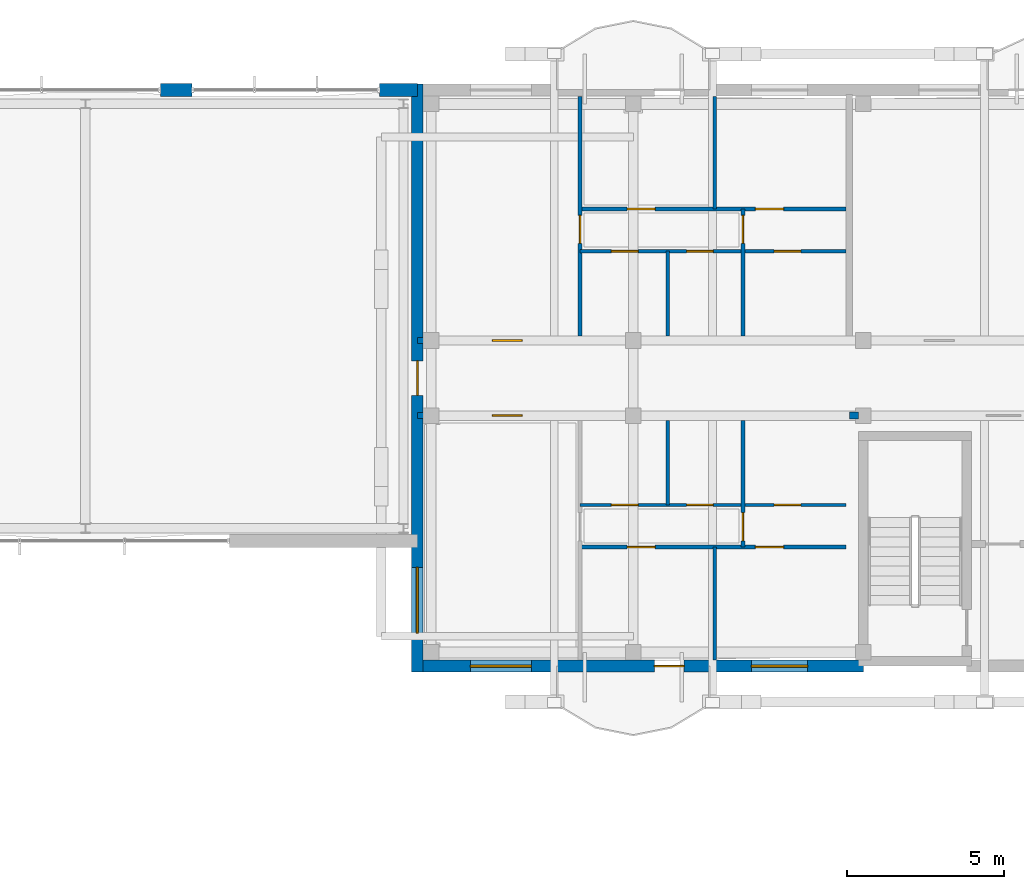
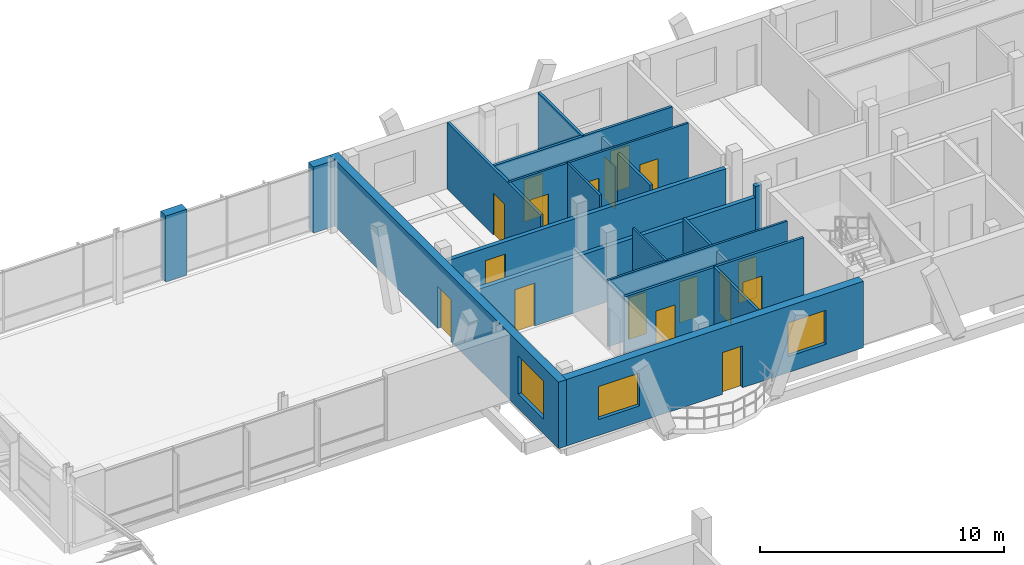
# One storey, part 157 of 189: 18 walls, 17 doors, 3 windows, 20 openings.
"""IFC4 building model written with IfcOpenShell, lengths in metres."""

from ifc_helpers import new_model, si_unit, direction, frame, frame_2d, origin, origin_with_axes, place, context, subcontext, project, spatial, rectangle, extrude, material, layer, layer_set, type_object, element, fill, save


model = new_model("IFC4")

# Units and contexts
model_context = context("Model", 3, precision=1e-05, world=origin(), true_north=direction((0.0, 1.0)))
body_context = subcontext(model_context, "Body", "Model", "MODEL_VIEW")
ifc_project = project(units=[si_unit("LENGTHUNIT", "METRE"), si_unit("AREAUNIT", "SQUARE_METRE"), si_unit("VOLUMEUNIT", "CUBIC_METRE"), si_unit("PLANEANGLEUNIT", "RADIAN"), si_unit("MASSUNIT", "GRAM", prefix="KILO")], contexts=[model_context])

# Site, building, storey
site_placement = place(None, origin())
site = spatial("IfcSite", under=ifc_project, at=site_placement, CompositionType="ELEMENT")
building_placement = place(site_placement, origin())
building = spatial("IfcBuilding", under=site, at=building_placement, Name="Zavelmont Quarter", CompositionType="ELEMENT")
storey_placement = place(building_placement, frame((0.0, 0.0, 4.39990234375)))
storey = spatial("IfcBuildingStorey", under=building, at=storey_placement, Name="L01", CompositionType="ELEMENT", Elevation=4.39990234375)

# Wall, openings, door, windows
ifc_material_1 = material(Name="Natural Belgian limestone", Category="masonry")
ifc_layer_1 = layer(ifc_material_1, 0.3798828125)
ifc_layer_set_1 = layer_set([ifc_layer_1], Name="Natural Belgian limestone")
wall_type_1 = type_object("IfcWallType", Name="EW01", PredefinedType="STANDARD", material=ifc_layer_set_1)
wall_1_placement = place(storey_placement, frame((112.97998046875, 97.60009765625, 0.0), z_axis=(0.0, 0.0, 1.0), x_axis=(1.0, 0.0, 0.0)))
wall_1 = element("IfcWall", 1, at=wall_1_placement, inside=storey, type_object=wall_type_1, Name="L01 exterior limestone wall EW01", PredefinedType="STANDARD", context=body_context, shape_type="SweptSolid", body=[
    extrude(rectangle(XDim=14.070068359375, YDim=0.3798828125, at=frame_2d((7.03515625, 0.0))), origin(), (0.0, 0.0, 1.0), 3.330078125),
])
opening_1_placement = place(wall_1_placement, frame((7.389892578125, 0.0, 0.0)))
opening_1 = element("IfcOpeningElement", 2, at=opening_1_placement, cuts=wall_1, Name="Opening DR04", PredefinedType="OPENING", context=body_context, shape_type="SweptSolid", body=[
    extrude(rectangle(XDim=0.949951171875, YDim=2.10009765625, at=frame_2d((0.47509765625, 1.050048828125))), frame((0.0, 0.201904296875, 0.0), z_axis=(0.0, -1.0, 0.0), x_axis=(1.0, 0.0, 0.0)), (0.0, 0.0, 1.0), 0.40380859375),
])
opening_2_placement = place(wall_1_placement, frame((1.514892578125, 0.0, 0.800048828125)))
opening_2 = element("IfcOpeningElement", 3, at=opening_2_placement, cuts=wall_1, Name="Opening WN24", PredefinedType="OPENING", context=body_context, shape_type="SweptSolid", body=[
    extrude(rectangle(XDim=1.949951171875, YDim=1.64990234375, at=frame_2d((0.97509765625, 0.824951171875))), frame((0.0, 0.201904296875, 0.0), z_axis=(0.0, -1.0, 0.0), x_axis=(1.0, 0.0, 0.0)), (0.0, 0.0, 1.0), 0.40380859375),
])
opening_3_placement = place(wall_1_placement, frame((10.489990234375, 0.0, 0.800048828125)))
opening_3 = element("IfcOpeningElement", 4, at=opening_3_placement, cuts=wall_1, Name="Opening WN02", PredefinedType="OPENING", context=body_context, shape_type="SweptSolid", body=[
    extrude(rectangle(XDim=1.800048828125, YDim=1.699951171875, at=frame_2d((0.89990234375, 0.85009765625))), frame((0.0, 0.201904296875, 0.0), z_axis=(0.0, -1.0, 0.0), x_axis=(1.0, 0.0, 0.0)), (0.0, 0.0, 1.0), 0.40380859375),
])
ifc_material_2 = material(Name="Thermally broken aluminium and double safety glass", Category="aluminium")
door_type_1 = type_object("IfcDoorType", Name="DR04", OperationType="NOTDEFINED", PredefinedType="DOOR", material=ifc_material_2)
door_1_placement = place(opening_1_placement, origin_with_axes())
door_1 = element("IfcDoor", 5, at=door_1_placement, inside=storey, type_object=door_type_1, Name="Block C L01 glazed balcony door", OperationType="SINGLE_SWING_LEFT", OverallHeight=2.10009765625, OverallWidth=0.949951171875, PredefinedType="DOOR", context=body_context, shape_type="SweptSolid", body=[
    extrude(rectangle(XDim=0.949951171875, YDim=2.10009765625, at=frame_2d((0.47509765625, 1.050048828125))), frame((0.0, 0.02490234375, 0.0), z_axis=(0.0, -1.0, 0.0), x_axis=(1.0, 0.0, 0.0)), (0.0, 0.0, 1.0), 0.050048828125),
])
fill(opening_1, door_1)
ifc_material_3 = material(Name="Double low-E insulated glazing in thermally broken aluminium frame", Category="aluminium")
window_type_1 = type_object("IfcWindowType", Name="WN02", PartitioningType="SINGLE_PANEL", PredefinedType="WINDOW", material=ifc_material_3)
window_1_placement = place(opening_3_placement, origin_with_axes())
window_1 = element("IfcWindow", 6, at=window_1_placement, inside=storey, type_object=window_type_1, Name="L01 window WN02", OverallHeight=1.699951171875, OverallWidth=1.800048828125, PartitioningType="SINGLE_PANEL", PredefinedType="WINDOW", context=body_context, shape_type="SweptSolid", body=[
    extrude(rectangle(XDim=1.800048828125, YDim=1.699951171875, at=frame_2d((0.89990234375, 0.85009765625))), frame((0.0, 0.030029296875, 0.0), z_axis=(0.0, -1.0, 0.0), x_axis=(1.0, 0.0, 0.0)), (0.0, 0.0, 1.0), 0.06005859375),
])
fill(opening_3, window_1)
window_type_2 = type_object("IfcWindowType", Name="WN24", PartitioningType="SINGLE_PANEL", PredefinedType="WINDOW", material=ifc_material_3)
window_2_placement = place(opening_2_placement, origin_with_axes())
window_2 = element("IfcWindow", 7, at=window_2_placement, inside=storey, type_object=window_type_2, Name="L01 window WN24", OverallHeight=1.64990234375, OverallWidth=1.949951171875, PartitioningType="SINGLE_PANEL", PredefinedType="WINDOW", context=body_context, shape_type="SweptSolid", body=[
    extrude(rectangle(XDim=1.949951171875, YDim=1.64990234375, at=frame_2d((0.97509765625, 0.824951171875))), frame((0.0, 0.030029296875, 0.0), z_axis=(0.0, -1.0, 0.0), x_axis=(1.0, 0.0, 0.0)), (0.0, 0.0, 1.0), 0.06005859375),
])
fill(opening_2, window_2)

# Wall, openings, door, window
wall_2_placement = place(storey_placement, frame((112.800048828125, 97.409912109375, 0.0), z_axis=(0.0, 0.0, 1.0), x_axis=(0.0, 1.0, 0.0)))
wall_2 = element("IfcWall", 8, at=wall_2_placement, inside=storey, type_object=wall_type_1, Name="L01 exterior limestone wall EW01", PredefinedType="STANDARD", context=body_context, shape_type="SweptSolid", body=[
    extrude(rectangle(XDim=18.780029296875, YDim=0.3798828125, at=frame_2d((9.39013671875, 0.0))), origin(), (0.0, 0.0, 1.0), 3.330078125),
])
opening_4_placement = place(wall_2_placement, frame((8.840087890625, 0.0, 0.0)))
opening_4 = element("IfcOpeningElement", 9, at=opening_4_placement, cuts=wall_2, Name="Opening DR04B", PredefinedType="OPENING", context=body_context, shape_type="SweptSolid", body=[
    extrude(rectangle(XDim=1.10009765625, YDim=2.10009765625, at=frame_2d((0.550048828125, 1.050048828125))), frame((0.0, 0.201904296875, 0.0), z_axis=(0.0, -1.0, 0.0), x_axis=(1.0, 0.0, 0.0)), (0.0, 0.0, 1.0), 0.40380859375),
])
opening_5_placement = place(wall_2_placement, frame((1.239990234375, 0.0, 0.719970703125)))
opening_5 = element("IfcOpeningElement", 10, at=opening_5_placement, cuts=wall_2, Name="Opening WN05", PredefinedType="OPENING", context=body_context, shape_type="SweptSolid", body=[
    extrude(rectangle(XDim=2.10009765625, YDim=1.89990234375, at=frame_2d((1.050048828125, 0.949951171875))), frame((0.0, 0.201904296875, 0.0), z_axis=(0.0, -1.0, 0.0), x_axis=(1.0, 0.0, 0.0)), (0.0, 0.0, 1.0), 0.40380859375),
])
door_type_2 = type_object("IfcDoorType", Name="DR04B", OperationType="NOTDEFINED", PredefinedType="DOOR", material=ifc_material_2)
door_2_placement = place(opening_4_placement, frame((1.10009765625, 0.0, 0.0), z_axis=(0.0, 0.0, 1.0), x_axis=(-1.0, 0.0, 0.0)))
door_2 = element("IfcDoor", 11, at=door_2_placement, inside=storey, type_object=door_type_2, Name="Block C L01 street arcade link door", OperationType="SINGLE_SWING_LEFT", OverallHeight=2.10009765625, OverallWidth=1.10009765625, PredefinedType="DOOR", context=body_context, shape_type="SweptSolid", body=[
    extrude(rectangle(XDim=1.10009765625, YDim=2.10009765625, at=frame_2d((0.550048828125, 1.050048828125))), frame((0.0, 0.02490234375, 0.0), z_axis=(0.0, -1.0, 0.0), x_axis=(1.0, 0.0, 0.0)), (0.0, 0.0, 1.0), 0.050048828125),
])
fill(opening_4, door_2)
window_type_3 = type_object("IfcWindowType", Name="WN05", PartitioningType="SINGLE_PANEL", PredefinedType="WINDOW", material=ifc_material_3)
window_3_placement = place(opening_5_placement, origin_with_axes())
window_3 = element("IfcWindow", 12, at=window_3_placement, inside=storey, type_object=window_type_3, Name="L01 window WN05", OverallHeight=1.89990234375, OverallWidth=2.10009765625, PartitioningType="SINGLE_PANEL", PredefinedType="WINDOW", context=body_context, shape_type="SweptSolid", body=[
    extrude(rectangle(XDim=2.10009765625, YDim=1.89990234375, at=frame_2d((1.050048828125, 0.949951171875))), frame((0.0, 0.030029296875, 0.0), z_axis=(0.0, -1.0, 0.0), x_axis=(1.0, 0.0, 0.0)), (0.0, 0.0, 1.0), 0.06005859375),
])
fill(opening_5, window_3)

# Walls
ifc_layer_2 = layer(ifc_material_1, 0.419921875)
ifc_layer_set_2 = layer_set([ifc_layer_2], Name="Natural Belgian limestone")
wall_type_2 = type_object("IfcWallType", Name="EW04", PredefinedType="STANDARD", material=ifc_layer_set_2)
wall_3_placement = place(storey_placement, frame((104.60009765625, 116.0, 0.0), z_axis=(0.0, 0.0, 1.0), x_axis=(1.0, 0.0, 0.0)))
element("IfcWall", 13, at=wall_3_placement, inside=storey, type_object=wall_type_2, Name="L01 exterior limestone wall EW04", PredefinedType="STANDARD", context=body_context, shape_type="SweptSolid", body=[
    extrude(rectangle(XDim=1.0, YDim=0.419921875, at=frame_2d((0.5, 0.0))), origin(), (0.0, 0.0, 1.0), 3.31005859375),
])
wall_4_placement = place(storey_placement, frame((111.60009765625, 116.0, 0.0), z_axis=(0.0, 0.0, 1.0), x_axis=(1.0, 0.0, 0.0)))
element("IfcWall", 14, at=wall_4_placement, inside=storey, type_object=wall_type_2, Name="L01 exterior limestone wall EW04", PredefinedType="STANDARD", context=body_context, shape_type="SweptSolid", body=[
    extrude(rectangle(XDim=1.199951171875, YDim=0.419921875, at=frame_2d((0.60009765625, 0.0))), origin(), (0.0, 0.0, 1.0), 3.31005859375),
])

# Wall, opening, door
ifc_material_4 = material(Name="Calcium-silicate blockwork and acoustic plaster", Category="masonry")
ifc_layer_3 = layer(ifc_material_4, 0.199951171875)
ifc_layer_set_3 = layer_set([ifc_layer_3], Name="Calcium-silicate blockwork and acoustic plaster")
wall_type_3 = type_object("IfcWallType", Name="IW01", PredefinedType="PARTITIONING", material=ifc_layer_set_3)
wall_5_placement = place(storey_placement, frame((112.800048828125, 108.0, 0.0), z_axis=(0.0, 0.0, 1.0), x_axis=(1.0, 0.0, 0.0)))
wall_5 = element("IfcWall", 15, at=wall_5_placement, inside=storey, type_object=wall_type_3, Name="L01 Corridor compartment wall IW01", PredefinedType="PARTITIONING", context=body_context, shape_type="SweptSolid", body=[
    extrude(rectangle(XDim=13.800048828125, YDim=0.199951171875, at=frame_2d((6.89990234375, 0.0))), origin(), (0.0, 0.0, 1.0), 2.77001953125),
])
opening_6_placement = place(wall_5_placement, frame((2.39990234375, 0.0, 0.0)))
opening_6 = element("IfcOpeningElement", 16, at=opening_6_placement, cuts=wall_5, Name="Opening DR02", PredefinedType="OPENING", context=body_context, shape_type="SweptSolid", body=[
    extrude(rectangle(XDim=0.949951171875, YDim=2.14990234375, at=frame_2d((0.47509765625, 1.074951171875))), frame((0.0, 0.11181640625, 0.0), z_axis=(0.0, -1.0, 0.0), x_axis=(1.0, 0.0, 0.0)), (0.0, 0.0, 1.0), 0.223876953125),
])
ifc_material_5 = material(Name="Solid-core oak fire leaf in steel frame", Category="steel")
door_type_3 = type_object("IfcDoorType", Name="DR02", OperationType="NOTDEFINED", PredefinedType="DOOR", material=ifc_material_5)
door_3_placement = place(opening_6_placement, origin_with_axes())
door_3 = element("IfcDoor", 17, at=door_3_placement, inside=storey, type_object=door_type_3, Name="L01 door DR02", OperationType="SINGLE_SWING_LEFT", OverallHeight=2.14990234375, OverallWidth=0.949951171875, PredefinedType="DOOR", context=body_context, shape_type="SweptSolid", body=[
    extrude(rectangle(XDim=0.949951171875, YDim=2.14990234375, at=frame_2d((0.47509765625, 1.074951171875))), frame((0.0, 0.02490234375, 0.0), z_axis=(0.0, -1.0, 0.0), x_axis=(1.0, 0.0, 0.0)), (0.0, 0.0, 1.0), 0.050048828125),
])
fill(opening_6, door_3)

wall_6_placement = place(storey_placement, frame((112.800048828125, 105.60009765625, 0.0), z_axis=(0.0, 0.0, 1.0), x_axis=(1.0, 0.0, 0.0)))
wall_6 = element("IfcWall", 18, at=wall_6_placement, inside=storey, type_object=wall_type_3, Name="L01 Corridor compartment wall IW01", PredefinedType="PARTITIONING", context=body_context, shape_type="SweptSolid", body=[
    extrude(rectangle(XDim=13.800048828125, YDim=0.199951171875, at=frame_2d((6.89990234375, 0.0))), origin(), (0.0, 0.0, 1.0), 2.77001953125),
])
opening_7_placement = place(wall_6_placement, frame((2.39990234375, 0.0, 0.0)))
opening_7 = element("IfcOpeningElement", 19, at=opening_7_placement, cuts=wall_6, Name="Opening DR02", PredefinedType="OPENING", context=body_context, shape_type="SweptSolid", body=[
    extrude(rectangle(XDim=0.949951171875, YDim=2.14990234375, at=frame_2d((0.47509765625, 1.074951171875))), frame((0.0, 0.11181640625, 0.0), z_axis=(0.0, -1.0, 0.0), x_axis=(1.0, 0.0, 0.0)), (0.0, 0.0, 1.0), 0.223876953125),
])
door_4_placement = place(opening_7_placement, frame((0.949951171875, 0.0, 0.0), z_axis=(0.0, 0.0, 1.0), x_axis=(-1.0, 0.0, 0.0)))
door_4 = element("IfcDoor", 20, at=door_4_placement, inside=storey, type_object=door_type_3, Name="L01 door DR02", OperationType="SINGLE_SWING_LEFT", OverallHeight=2.14990234375, OverallWidth=0.949951171875, PredefinedType="DOOR", context=body_context, shape_type="SweptSolid", body=[
    extrude(rectangle(XDim=0.949951171875, YDim=2.14990234375, at=frame_2d((0.47509765625, 1.074951171875))), frame((0.0, 0.02490234375, 0.0), z_axis=(0.0, -1.0, 0.0), x_axis=(1.0, 0.0, 0.0)), (0.0, 0.0, 1.0), 0.050048828125),
])
fill(opening_7, door_4)

# Wall
ifc_material_6 = material(Name="Reinforced masonry fire compartment wall", Category="masonry")
ifc_layer_4 = layer(ifc_material_6, 0.22509765625)
ifc_layer_set_4 = layer_set([ifc_layer_4], Name="Reinforced masonry fire compartment wall")
wall_type_4 = type_object("IfcWallType", Name="IW02", PredefinedType="PARTITIONING", material=ifc_layer_set_4)
wall_7_placement = place(storey_placement, frame((126.60009765625, 105.60009765625, 0.0), z_axis=(0.0, 0.0, 1.0), x_axis=(1.0, 0.0, 0.0)))
element("IfcWall", 21, at=wall_7_placement, inside=storey, type_object=wall_type_4, Name="L01 Core corridor wall IW02", PredefinedType="PARTITIONING", context=body_context, shape_type="SweptSolid", body=[
    extrude(rectangle(XDim=0.2998046875, YDim=0.22509765625, at=frame_2d((0.14990234375, 0.0))), origin(), (0.0, 0.0, 1.0), 3.330078125),
])

# Wall, opening, door
ifc_material_7 = material(Name="Double gypsum board on acoustic steel stud", Category="steel")
ifc_layer_5 = layer(ifc_material_7, 0.125)
ifc_layer_set_5 = layer_set([ifc_layer_5], Name="Double gypsum board on acoustic steel stud")
wall_type_5 = type_object("IfcWallType", Name="IW03", PredefinedType="PARTITIONING", material=ifc_layer_set_5)
wall_8_placement = place(storey_placement, frame((118.0, 108.14990234375, 0.0), z_axis=(0.0, 0.0, 1.0), x_axis=(0.0, 1.0, 0.0)))
wall_8 = element("IfcWall", 22, at=wall_8_placement, inside=storey, type_object=wall_type_5, Name="L01 Partition IW03", PredefinedType="PARTITIONING", context=body_context, shape_type="SweptSolid", body=[
    extrude(rectangle(XDim=7.650146484375, YDim=0.125, at=frame_2d((3.8251953125, 0.0))), origin(), (0.0, 0.0, 1.0), 3.330078125),
])
opening_8_placement = place(wall_8_placement, frame((2.949951171875, 0.0, 0.0)))
opening_8 = element("IfcOpeningElement", 23, at=opening_8_placement, cuts=wall_8, Name="Opening DR05", PredefinedType="OPENING", context=body_context, shape_type="SweptSolid", body=[
    extrude(rectangle(XDim=0.89990234375, YDim=2.10009765625, at=frame_2d((0.449951171875, 1.050048828125))), frame((0.0, 0.074462890625, 0.0), z_axis=(0.0, -1.0, 0.0), x_axis=(1.0, 0.0, 0.0)), (0.0, 0.0, 1.0), 0.14892578125),
])
ifc_material_8 = material(Name="Engineered oak flush interior door")
door_type_4 = type_object("IfcDoorType", Name="DR05", OperationType="NOTDEFINED", PredefinedType="DOOR", material=ifc_material_8)
door_5_placement = place(opening_8_placement, origin_with_axes())
door_5 = element("IfcDoor", 24, at=door_5_placement, inside=storey, type_object=door_type_4, Name="L01 door DR05", OperationType="SINGLE_SWING_LEFT", OverallHeight=2.10009765625, OverallWidth=0.89990234375, PredefinedType="DOOR", context=body_context, shape_type="SweptSolid", body=[
    extrude(rectangle(XDim=0.89990234375, YDim=2.10009765625, at=frame_2d((0.449951171875, 1.050048828125))), frame((0.0, 0.02490234375, 0.0), z_axis=(0.0, -1.0, 0.0), x_axis=(1.0, 0.0, 0.0)), (0.0, 0.0, 1.0), 0.050048828125),
])
fill(opening_8, door_5)

wall_9_placement = place(storey_placement, frame((123.199951171875, 108.14990234375, 0.0), z_axis=(0.0, 0.0, 1.0), x_axis=(0.0, 1.0, 0.0)))
wall_9 = element("IfcWall", 25, at=wall_9_placement, inside=storey, type_object=wall_type_5, Name="L01 Partition IW03", PredefinedType="PARTITIONING", context=body_context, shape_type="SweptSolid", body=[
    extrude(rectangle(XDim=4.050048828125, YDim=0.125, at=frame_2d((2.02490234375, 0.0))), origin(), (0.0, 0.0, 1.0), 2.989990234375),
])
opening_9_placement = place(wall_9_placement, frame((2.949951171875, 0.0, 0.0)))
opening_9 = element("IfcOpeningElement", 26, at=opening_9_placement, cuts=wall_9, Name="Opening DR05", PredefinedType="OPENING", context=body_context, shape_type="SweptSolid", body=[
    extrude(rectangle(XDim=0.89990234375, YDim=2.10009765625, at=frame_2d((0.449951171875, 1.050048828125))), frame((0.0, 0.074462890625, 0.0), z_axis=(0.0, -1.0, 0.0), x_axis=(1.0, 0.0, 0.0)), (0.0, 0.0, 1.0), 0.14892578125),
])
door_6_placement = place(opening_9_placement, frame((0.89990234375, 0.0, 0.0), z_axis=(0.0, 0.0, 1.0), x_axis=(-1.0, 0.0, 0.0)))
door_6 = element("IfcDoor", 27, at=door_6_placement, inside=storey, type_object=door_type_4, Name="L01 door DR05", OperationType="SINGLE_SWING_RIGHT", OverallHeight=2.10009765625, OverallWidth=0.89990234375, PredefinedType="DOOR", context=body_context, shape_type="SweptSolid", body=[
    extrude(rectangle(XDim=0.89990234375, YDim=2.10009765625, at=frame_2d((0.449951171875, 1.050048828125))), frame((0.0, 0.02490234375, 0.0), z_axis=(0.0, -1.0, 0.0), x_axis=(1.0, 0.0, 0.0)), (0.0, 0.0, 1.0), 0.050048828125),
])
fill(opening_9, door_6)

# Wall
wall_10_placement = place(storey_placement, frame((122.300048828125, 112.199951171875, 0.0), z_axis=(0.0, 0.0, 1.0), x_axis=(0.0, 1.0, 0.0)))
element("IfcWall", 28, at=wall_10_placement, inside=storey, type_object=wall_type_5, Name="L01 Partition IW03", PredefinedType="PARTITIONING", context=body_context, shape_type="SweptSolid", body=[
    extrude(rectangle(XDim=3.60009765625, YDim=0.125, at=frame_2d((1.800048828125, 0.0))), origin(), (0.0, 0.0, 1.0), 3.330078125),
])

# Wall, openings, doors
wall_11_placement = place(storey_placement, frame((118.0, 112.199951171875, 0.0), z_axis=(0.0, 0.0, 1.0), x_axis=(1.0, 0.0, 0.0)))
wall_11 = element("IfcWall", 29, at=wall_11_placement, inside=storey, type_object=wall_type_5, Name="L01 Partition IW03", PredefinedType="PARTITIONING", context=body_context, shape_type="SweptSolid", body=[
    extrude(rectangle(XDim=8.5, YDim=0.125, at=frame_2d((4.25, 0.0))), origin(), (0.0, 0.0, 1.0), 3.330078125),
])
opening_10_placement = place(wall_11_placement, frame((1.5, 0.0, 0.0)))
opening_10 = element("IfcOpeningElement", 30, at=opening_10_placement, cuts=wall_11, Name="Opening DR05", PredefinedType="OPENING", context=body_context, shape_type="SweptSolid", body=[
    extrude(rectangle(XDim=0.89990234375, YDim=2.10009765625, at=frame_2d((0.449951171875, 1.050048828125))), frame((0.0, 0.074462890625, 0.0), z_axis=(0.0, -1.0, 0.0), x_axis=(1.0, 0.0, 0.0)), (0.0, 0.0, 1.0), 0.14892578125),
])
opening_11_placement = place(wall_11_placement, frame((5.60009765625, 0.0, 0.0)))
opening_11 = element("IfcOpeningElement", 31, at=opening_11_placement, cuts=wall_11, Name="Opening DR05", PredefinedType="OPENING", context=body_context, shape_type="SweptSolid", body=[
    extrude(rectangle(XDim=0.89990234375, YDim=2.10009765625, at=frame_2d((0.449951171875, 1.050048828125))), frame((0.0, 0.074462890625, 0.0), z_axis=(0.0, -1.0, 0.0), x_axis=(1.0, 0.0, 0.0)), (0.0, 0.0, 1.0), 0.14892578125),
])
door_7_placement = place(opening_10_placement, frame((0.89990234375, 0.0, 0.0), z_axis=(0.0, 0.0, 1.0), x_axis=(-1.0, 0.0, 0.0)))
door_7 = element("IfcDoor", 32, at=door_7_placement, inside=storey, type_object=door_type_4, Name="L01 door DR05", OperationType="SINGLE_SWING_RIGHT", OverallHeight=2.10009765625, OverallWidth=0.89990234375, PredefinedType="DOOR", context=body_context, shape_type="SweptSolid", body=[
    extrude(rectangle(XDim=0.89990234375, YDim=2.10009765625, at=frame_2d((0.449951171875, 1.050048828125))), frame((0.0, 0.02490234375, 0.0), z_axis=(0.0, -1.0, 0.0), x_axis=(1.0, 0.0, 0.0)), (0.0, 0.0, 1.0), 0.050048828125),
])
fill(opening_10, door_7)
door_8_placement = place(opening_11_placement, origin_with_axes())
door_8 = element("IfcDoor", 33, at=door_8_placement, inside=storey, type_object=door_type_4, Name="L01 door DR05", OperationType="SINGLE_SWING_LEFT", OverallHeight=2.10009765625, OverallWidth=0.89990234375, PredefinedType="DOOR", context=body_context, shape_type="SweptSolid", body=[
    extrude(rectangle(XDim=0.89990234375, YDim=2.10009765625, at=frame_2d((0.449951171875, 1.050048828125))), frame((0.0, 0.02490234375, 0.0), z_axis=(0.0, -1.0, 0.0), x_axis=(1.0, 0.0, 0.0)), (0.0, 0.0, 1.0), 0.050048828125),
])
fill(opening_11, door_8)

# Wall, opening, door
wall_12_placement = place(storey_placement, frame((123.199951171875, 105.449951171875, 0.0), z_axis=(0.0, 0.0, 1.0), x_axis=(0.0, -1.0, 0.0)))
wall_12 = element("IfcWall", 34, at=wall_12_placement, inside=storey, type_object=wall_type_5, Name="L01 Partition IW03", PredefinedType="PARTITIONING", context=body_context, shape_type="SweptSolid", body=[
    extrude(rectangle(XDim=4.050048828125, YDim=0.125, at=frame_2d((2.02490234375, 0.0))), origin(), (0.0, 0.0, 1.0), 2.989990234375),
])
opening_12_placement = place(wall_12_placement, frame((2.949951171875, 0.0, 0.0)))
opening_12 = element("IfcOpeningElement", 35, at=opening_12_placement, cuts=wall_12, Name="Opening DR05", PredefinedType="OPENING", context=body_context, shape_type="SweptSolid", body=[
    extrude(rectangle(XDim=0.89990234375, YDim=2.10009765625, at=frame_2d((0.449951171875, 1.050048828125))), frame((0.0, 0.074462890625, 0.0), z_axis=(0.0, -1.0, 0.0), x_axis=(1.0, 0.0, 0.0)), (0.0, 0.0, 1.0), 0.14892578125),
])
door_9_placement = place(opening_12_placement, frame((0.89990234375, 0.0, 0.0), z_axis=(0.0, 0.0, 1.0), x_axis=(-1.0, 0.0, 0.0)))
door_9 = element("IfcDoor", 36, at=door_9_placement, inside=storey, type_object=door_type_4, Name="L01 door DR05", OperationType="SINGLE_SWING_RIGHT", OverallHeight=2.10009765625, OverallWidth=0.89990234375, PredefinedType="DOOR", context=body_context, shape_type="SweptSolid", body=[
    extrude(rectangle(XDim=0.89990234375, YDim=2.10009765625, at=frame_2d((0.449951171875, 1.050048828125))), frame((0.0, 0.02490234375, 0.0), z_axis=(0.0, -1.0, 0.0), x_axis=(1.0, 0.0, 0.0)), (0.0, 0.0, 1.0), 0.050048828125),
])
fill(opening_12, door_9)

# Wall
wall_13_placement = place(storey_placement, frame((122.300048828125, 101.39990234375, 0.0), z_axis=(0.0, 0.0, 1.0), x_axis=(0.0, -1.0, 0.0)))
element("IfcWall", 37, at=wall_13_placement, inside=storey, type_object=wall_type_5, Name="L01 Partition IW03", PredefinedType="PARTITIONING", context=body_context, shape_type="SweptSolid", body=[
    extrude(rectangle(XDim=3.599853515625, YDim=0.125, at=frame_2d((1.7998046875, 0.0))), origin(), (0.0, 0.0, 1.0), 3.330078125),
])

# Wall, openings, doors
wall_14_placement = place(storey_placement, frame((118.0, 101.39990234375, 0.0), z_axis=(0.0, 0.0, 1.0), x_axis=(1.0, 0.0, 0.0)))
wall_14 = element("IfcWall", 38, at=wall_14_placement, inside=storey, type_object=wall_type_5, Name="L01 Partition IW03", PredefinedType="PARTITIONING", context=body_context, shape_type="SweptSolid", body=[
    extrude(rectangle(XDim=8.5, YDim=0.125, at=frame_2d((4.25, 0.0))), origin(), (0.0, 0.0, 1.0), 3.330078125),
])
opening_13_placement = place(wall_14_placement, frame((1.5, 0.0, 0.0)))
opening_13 = element("IfcOpeningElement", 39, at=opening_13_placement, cuts=wall_14, Name="Opening DR05", PredefinedType="OPENING", context=body_context, shape_type="SweptSolid", body=[
    extrude(rectangle(XDim=0.89990234375, YDim=2.10009765625, at=frame_2d((0.449951171875, 1.050048828125))), frame((0.0, 0.074462890625, 0.0), z_axis=(0.0, -1.0, 0.0), x_axis=(1.0, 0.0, 0.0)), (0.0, 0.0, 1.0), 0.14892578125),
])
opening_14_placement = place(wall_14_placement, frame((5.60009765625, 0.0, 0.0)))
opening_14 = element("IfcOpeningElement", 40, at=opening_14_placement, cuts=wall_14, Name="Opening DR05", PredefinedType="OPENING", context=body_context, shape_type="SweptSolid", body=[
    extrude(rectangle(XDim=0.89990234375, YDim=2.10009765625, at=frame_2d((0.449951171875, 1.050048828125))), frame((0.0, 0.074462890625, 0.0), z_axis=(0.0, -1.0, 0.0), x_axis=(1.0, 0.0, 0.0)), (0.0, 0.0, 1.0), 0.14892578125),
])
door_10_placement = place(opening_13_placement, frame((0.89990234375, 0.0, 0.0), z_axis=(0.0, 0.0, 1.0), x_axis=(-1.0, 0.0, 0.0)))
door_10 = element("IfcDoor", 41, at=door_10_placement, inside=storey, type_object=door_type_4, Name="L01 door DR05", OperationType="SINGLE_SWING_RIGHT", OverallHeight=2.10009765625, OverallWidth=0.89990234375, PredefinedType="DOOR", context=body_context, shape_type="SweptSolid", body=[
    extrude(rectangle(XDim=0.89990234375, YDim=2.10009765625, at=frame_2d((0.449951171875, 1.050048828125))), frame((0.0, 0.02490234375, 0.0), z_axis=(0.0, -1.0, 0.0), x_axis=(1.0, 0.0, 0.0)), (0.0, 0.0, 1.0), 0.050048828125),
])
fill(opening_13, door_10)
door_11_placement = place(opening_14_placement, origin_with_axes())
door_11 = element("IfcDoor", 42, at=door_11_placement, inside=storey, type_object=door_type_4, Name="L01 door DR05", OperationType="SINGLE_SWING_LEFT", OverallHeight=2.10009765625, OverallWidth=0.89990234375, PredefinedType="DOOR", context=body_context, shape_type="SweptSolid", body=[
    extrude(rectangle(XDim=0.89990234375, YDim=2.10009765625, at=frame_2d((0.449951171875, 1.050048828125))), frame((0.0, 0.02490234375, 0.0), z_axis=(0.0, -1.0, 0.0), x_axis=(1.0, 0.0, 0.0)), (0.0, 0.0, 1.0), 0.050048828125),
])
fill(opening_14, door_11)

# Wall
ifc_material_9 = material(Name="Moisture-resistant gypsum board on steel stud", Category="steel")
ifc_layer_6 = layer(ifc_material_9, 0.10009765625)
ifc_layer_set_6 = layer_set([ifc_layer_6], Name="Moisture-resistant gypsum board on steel stud")
wall_type_6 = type_object("IfcWallType", Name="IW04", PredefinedType="PARTITIONING", material=ifc_layer_set_6)
wall_15_placement = place(storey_placement, frame((120.800048828125, 108.14990234375, 0.0), z_axis=(0.0, 0.0, 1.0), x_axis=(0.0, 1.0, 0.0)))
element("IfcWall", 43, at=wall_15_placement, inside=storey, type_object=wall_type_6, Name="L01 Partition IW04", PredefinedType="PARTITIONING", context=body_context, shape_type="SweptSolid", body=[
    extrude(rectangle(XDim=2.7001953125, YDim=0.10009765625, at=frame_2d((1.35009765625, 0.0))), origin(), (0.0, 0.0, 1.0), 3.330078125),
])

# Wall, openings, doors
wall_16_placement = place(storey_placement, frame((118.0, 110.85009765625, 0.0), z_axis=(0.0, 0.0, 1.0), x_axis=(1.0, 0.0, 0.0)))
wall_16 = element("IfcWall", 44, at=wall_16_placement, inside=storey, type_object=wall_type_6, Name="L01 Partition IW04", PredefinedType="PARTITIONING", context=body_context, shape_type="SweptSolid", body=[
    extrude(rectangle(XDim=8.5, YDim=0.10009765625, at=frame_2d((4.25, 0.0))), origin(), (0.0, 0.0, 1.0), 3.330078125),
])
opening_15_placement = place(wall_16_placement, frame((1.0, 0.0, 0.0)))
opening_15 = element("IfcOpeningElement", 45, at=opening_15_placement, cuts=wall_16, Name="Opening DR16", PredefinedType="OPENING", context=body_context, shape_type="SweptSolid", body=[
    extrude(rectangle(XDim=0.85009765625, YDim=2.10009765625, at=frame_2d((0.425048828125, 1.050048828125))), frame((0.0, 0.06201171875, 0.0), z_axis=(0.0, -1.0, 0.0), x_axis=(1.0, 0.0, 0.0)), (0.0, 0.0, 1.0), 0.1240234375),
])
opening_16_placement = place(wall_16_placement, frame((3.39990234375, 0.0, 0.0)))
opening_16 = element("IfcOpeningElement", 46, at=opening_16_placement, cuts=wall_16, Name="Opening DR06", PredefinedType="OPENING", context=body_context, shape_type="SweptSolid", body=[
    extrude(rectangle(XDim=0.85009765625, YDim=2.050048828125, at=frame_2d((0.425048828125, 1.02490234375))), frame((0.0, 0.06201171875, 0.0), z_axis=(0.0, -1.0, 0.0), x_axis=(1.0, 0.0, 0.0)), (0.0, 0.0, 1.0), 0.1240234375),
])
opening_17_placement = place(wall_16_placement, frame((6.199951171875, 0.0, 0.0)))
opening_17 = element("IfcOpeningElement", 47, at=opening_17_placement, cuts=wall_16, Name="Opening DR06", PredefinedType="OPENING", context=body_context, shape_type="SweptSolid", body=[
    extrude(rectangle(XDim=0.85009765625, YDim=2.050048828125, at=frame_2d((0.425048828125, 1.02490234375))), frame((0.0, 0.06201171875, 0.0), z_axis=(0.0, -1.0, 0.0), x_axis=(1.0, 0.0, 0.0)), (0.0, 0.0, 1.0), 0.1240234375),
])
ifc_material_10 = material(Name="Moisture-resistant painted wet-room door")
door_type_5 = type_object("IfcDoorType", Name="DR06", OperationType="NOTDEFINED", PredefinedType="DOOR", material=ifc_material_10)
door_12_placement = place(opening_16_placement, frame((0.85009765625, 0.0, 0.0), z_axis=(0.0, 0.0, 1.0), x_axis=(-1.0, 0.0, 0.0)))
door_12 = element("IfcDoor", 48, at=door_12_placement, inside=storey, type_object=door_type_5, Name="L01 door DR06", OperationType="SINGLE_SWING_RIGHT", OverallHeight=2.050048828125, OverallWidth=0.85009765625, PredefinedType="DOOR", context=body_context, shape_type="SweptSolid", body=[
    extrude(rectangle(XDim=0.85009765625, YDim=2.050048828125, at=frame_2d((0.425048828125, 1.02490234375))), frame((0.0, 0.02490234375, 0.0), z_axis=(0.0, -1.0, 0.0), x_axis=(1.0, 0.0, 0.0)), (0.0, 0.0, 1.0), 0.050048828125),
])
fill(opening_16, door_12)
door_13_placement = place(opening_17_placement, origin_with_axes())
door_13 = element("IfcDoor", 49, at=door_13_placement, inside=storey, type_object=door_type_5, Name="L01 door DR06", OperationType="SINGLE_SWING_LEFT", OverallHeight=2.050048828125, OverallWidth=0.85009765625, PredefinedType="DOOR", context=body_context, shape_type="SweptSolid", body=[
    extrude(rectangle(XDim=0.85009765625, YDim=2.050048828125, at=frame_2d((0.425048828125, 1.02490234375))), frame((0.0, 0.02490234375, 0.0), z_axis=(0.0, -1.0, 0.0), x_axis=(1.0, 0.0, 0.0)), (0.0, 0.0, 1.0), 0.050048828125),
])
fill(opening_17, door_13)
door_type_6 = type_object("IfcDoorType", Name="DR16", OperationType="NOTDEFINED", PredefinedType="DOOR", material=ifc_material_8)
door_14_placement = place(opening_15_placement, origin_with_axes())
door_14 = element("IfcDoor", 50, at=door_14_placement, inside=storey, type_object=door_type_6, Name="L01 door DR16", OperationType="SINGLE_SWING_LEFT", OverallHeight=2.10009765625, OverallWidth=0.85009765625, PredefinedType="DOOR", context=body_context, shape_type="SweptSolid", body=[
    extrude(rectangle(XDim=0.85009765625, YDim=2.10009765625, at=frame_2d((0.425048828125, 1.050048828125))), frame((0.0, 0.02490234375, 0.0), z_axis=(0.0, -1.0, 0.0), x_axis=(1.0, 0.0, 0.0)), (0.0, 0.0, 1.0), 0.050048828125),
])
fill(opening_15, door_14)

# Wall
wall_17_placement = place(storey_placement, frame((120.800048828125, 105.449951171875, 0.0), z_axis=(0.0, 0.0, 1.0), x_axis=(0.0, -1.0, 0.0)))
element("IfcWall", 51, at=wall_17_placement, inside=storey, type_object=wall_type_6, Name="L01 Partition IW04", PredefinedType="PARTITIONING", context=body_context, shape_type="SweptSolid", body=[
    extrude(rectangle(XDim=2.699951171875, YDim=0.10009765625, at=frame_2d((1.35009765625, 0.0))), origin(), (0.0, 0.0, 1.0), 3.330078125),
])

# Wall, openings, doors
wall_18_placement = place(storey_placement, frame((118.0, 102.75, 0.0), z_axis=(0.0, 0.0, 1.0), x_axis=(1.0, 0.0, 0.0)))
wall_18 = element("IfcWall", 52, at=wall_18_placement, inside=storey, type_object=wall_type_6, Name="L01 Partition IW04", PredefinedType="PARTITIONING", context=body_context, shape_type="SweptSolid", body=[
    extrude(rectangle(XDim=8.5, YDim=0.10009765625, at=frame_2d((4.25, 0.0))), origin(), (0.0, 0.0, 1.0), 3.330078125),
])
opening_18_placement = place(wall_18_placement, frame((1.0, 0.0, 0.0)))
opening_18 = element("IfcOpeningElement", 53, at=opening_18_placement, cuts=wall_18, Name="Opening DR16", PredefinedType="OPENING", context=body_context, shape_type="SweptSolid", body=[
    extrude(rectangle(XDim=0.85009765625, YDim=2.10009765625, at=frame_2d((0.425048828125, 1.050048828125))), frame((0.0, 0.06201171875, 0.0), z_axis=(0.0, -1.0, 0.0), x_axis=(1.0, 0.0, 0.0)), (0.0, 0.0, 1.0), 0.1240234375),
])
opening_19_placement = place(wall_18_placement, frame((3.39990234375, 0.0, 0.0)))
opening_19 = element("IfcOpeningElement", 54, at=opening_19_placement, cuts=wall_18, Name="Opening DR06", PredefinedType="OPENING", context=body_context, shape_type="SweptSolid", body=[
    extrude(rectangle(XDim=0.85009765625, YDim=2.050048828125, at=frame_2d((0.425048828125, 1.02490234375))), frame((0.0, 0.06201171875, 0.0), z_axis=(0.0, -1.0, 0.0), x_axis=(1.0, 0.0, 0.0)), (0.0, 0.0, 1.0), 0.1240234375),
])
opening_20_placement = place(wall_18_placement, frame((6.199951171875, 0.0, 0.0)))
opening_20 = element("IfcOpeningElement", 55, at=opening_20_placement, cuts=wall_18, Name="Opening DR06", PredefinedType="OPENING", context=body_context, shape_type="SweptSolid", body=[
    extrude(rectangle(XDim=0.85009765625, YDim=2.050048828125, at=frame_2d((0.425048828125, 1.02490234375))), frame((0.0, 0.06201171875, 0.0), z_axis=(0.0, -1.0, 0.0), x_axis=(1.0, 0.0, 0.0)), (0.0, 0.0, 1.0), 0.1240234375),
])
door_15_placement = place(opening_19_placement, frame((0.85009765625, 0.0, 0.0), z_axis=(0.0, 0.0, 1.0), x_axis=(-1.0, 0.0, 0.0)))
door_15 = element("IfcDoor", 56, at=door_15_placement, inside=storey, type_object=door_type_5, Name="L01 door DR06", OperationType="SINGLE_SWING_RIGHT", OverallHeight=2.050048828125, OverallWidth=0.85009765625, PredefinedType="DOOR", context=body_context, shape_type="SweptSolid", body=[
    extrude(rectangle(XDim=0.85009765625, YDim=2.050048828125, at=frame_2d((0.425048828125, 1.02490234375))), frame((0.0, 0.02490234375, 0.0), z_axis=(0.0, -1.0, 0.0), x_axis=(1.0, 0.0, 0.0)), (0.0, 0.0, 1.0), 0.050048828125),
])
fill(opening_19, door_15)
door_16_placement = place(opening_20_placement, origin_with_axes())
door_16 = element("IfcDoor", 57, at=door_16_placement, inside=storey, type_object=door_type_5, Name="L01 door DR06", OperationType="SINGLE_SWING_LEFT", OverallHeight=2.050048828125, OverallWidth=0.85009765625, PredefinedType="DOOR", context=body_context, shape_type="SweptSolid", body=[
    extrude(rectangle(XDim=0.85009765625, YDim=2.050048828125, at=frame_2d((0.425048828125, 1.02490234375))), frame((0.0, 0.02490234375, 0.0), z_axis=(0.0, -1.0, 0.0), x_axis=(1.0, 0.0, 0.0)), (0.0, 0.0, 1.0), 0.050048828125),
])
fill(opening_20, door_16)
door_17_placement = place(opening_18_placement, origin_with_axes())
door_17 = element("IfcDoor", 58, at=door_17_placement, inside=storey, type_object=door_type_6, Name="L01 door DR16", OperationType="SINGLE_SWING_LEFT", OverallHeight=2.10009765625, OverallWidth=0.85009765625, PredefinedType="DOOR", context=body_context, shape_type="SweptSolid", body=[
    extrude(rectangle(XDim=0.85009765625, YDim=2.10009765625, at=frame_2d((0.425048828125, 1.050048828125))), frame((0.0, 0.02490234375, 0.0), z_axis=(0.0, -1.0, 0.0), x_axis=(1.0, 0.0, 0.0)), (0.0, 0.0, 1.0), 0.050048828125),
])
fill(opening_18, door_17)

save(model, "model.ifc")
